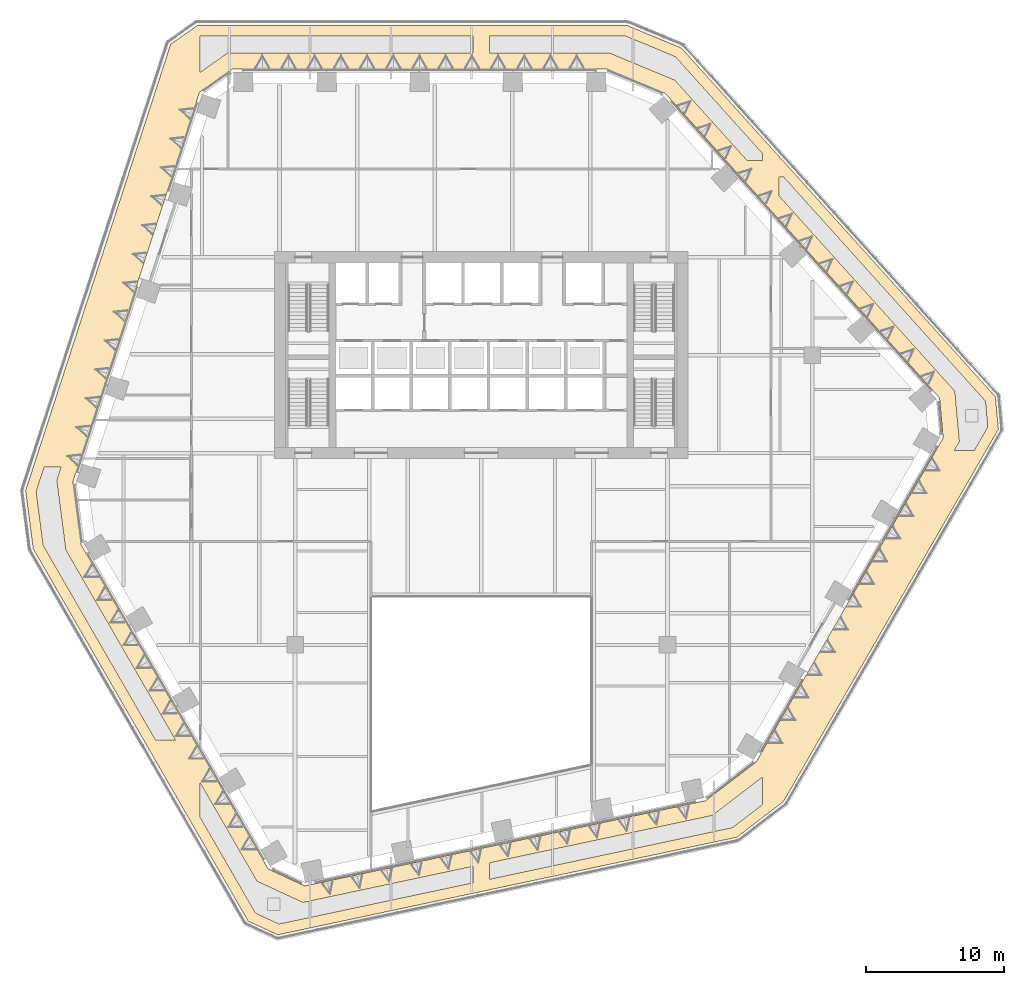
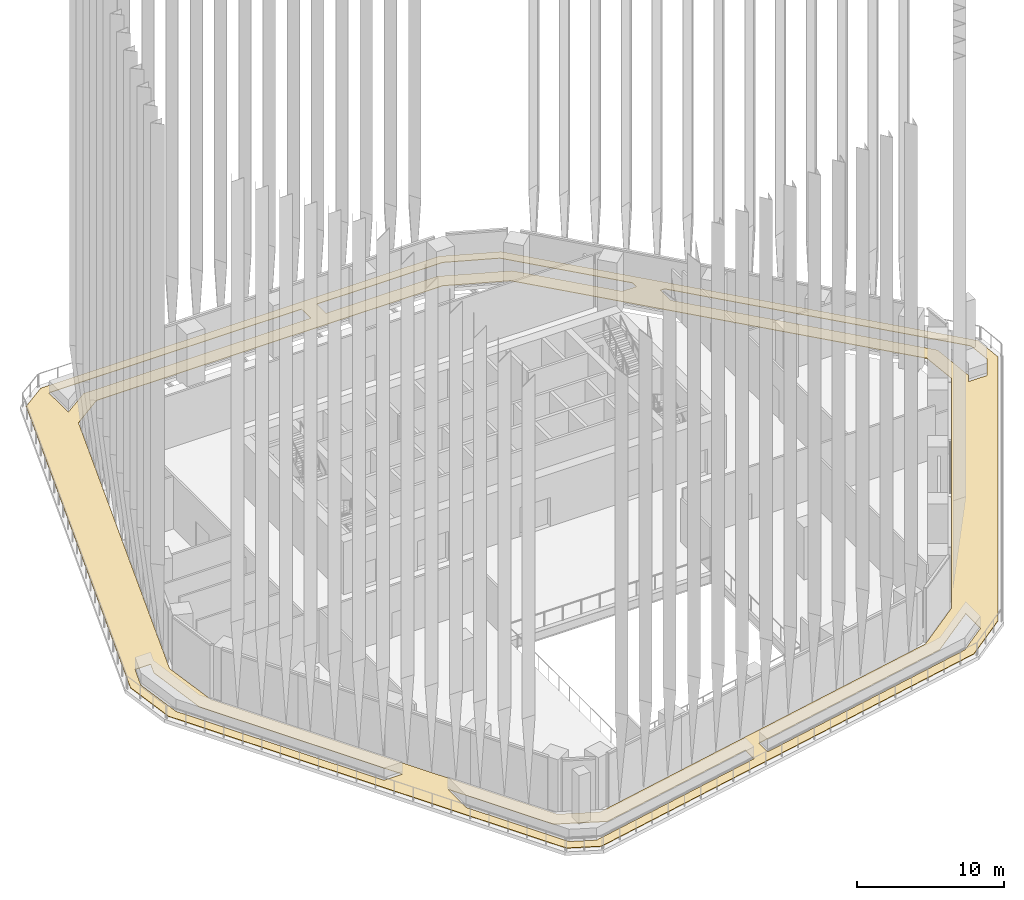
# One storey, part 21 of 27: 1 covering.
"""IFC4 building model written with IfcOpenShell, lengths in metres."""

from ifc_helpers import new_model, si_unit, direction, frame, origin, place, context, subcontext, project, spatial, polyline, outline, extrude, material, layer, layer_set, type_object, element, save


model = new_model("IFC4")

# Units and contexts
model_context = context("Model", 3, precision=1e-05, world=origin(), true_north=direction((0.0, 1.0)))
body_context = subcontext(model_context, "Body", "Model", "MODEL_VIEW")
ifc_project = project(units=[si_unit("LENGTHUNIT", "METRE"), si_unit("AREAUNIT", "SQUARE_METRE"), si_unit("VOLUMEUNIT", "CUBIC_METRE"), si_unit("PLANEANGLEUNIT", "RADIAN"), si_unit("MASSUNIT", "GRAM", prefix="KILO")], contexts=[model_context])

# Site, building, storey
site_placement = place(None, origin())
site = spatial("IfcSite", under=ifc_project, at=site_placement, CompositionType="ELEMENT")
building_placement = place(site_placement, origin())
building = spatial("IfcBuilding", under=site, at=building_placement, Name="Isthmus Gate Tower", CompositionType="ELEMENT")
storey_placement = place(building_placement, frame((0.0, 0.0, 121.64990234375)))
storey = spatial("IfcBuildingStorey", under=building, at=storey_placement, Name="L29", CompositionType="ELEMENT", Elevation=121.64990234375)

# Covering
ifc_material = material(Name="Granite paving slabs on pedestals", Category="masonry")
ifc_layer = layer(ifc_material, 0.0400390625)
ifc_layer_set = layer_set([ifc_layer], Name="LEDGE PAVING 40")
covering_type = type_object("IfcCoveringType", Name="LEDGE PAVING 40", PredefinedType="FLOORING", material=ifc_layer_set)
covering_placement = place(storey_placement, origin())
element("IfcCovering", 1, at=covering_placement, inside=storey, type_object=covering_type, Name="LEDGE PAVING", PredefinedType="FLOORING", context=body_context, shape_type="SweptSolid", body=[
    extrude(outline(polyline([(37.27490234375, 4.4833984375), (37.486328125, 2.128173828125), (21.902099609375, -24.8642578125), (18.52392578125, -27.44921875), (-14.754638671875, -34.522705078125), (-16.900146484375, -33.5283203125), (-32.484130859375, -6.53564453125), (-33.03369140625, -2.317626953125), (-22.520263671875, 30.039306640625), (-20.58642578125, 31.39990234375), (10.58203125, 31.39990234375), (14.509765625, 29.766845703125), (37.27490234375, 4.4833984375)]), holes=[polyline([(-20.4267578125, 26.571533203125), (-29.60546875, -1.677734375), (-29.009521484375, -6.254150390625), (-15.444580078125, -29.7490234375), (-12.798095703125, -30.975830078125), (16.255615234375, -24.80029296875), (19.9208984375, -21.995849609375), (33.48583984375, 1.4990234375), (33.22509765625, 4.404541015625), (13.349853515625, 26.47802734375), (9.08837890625, 28.25), (-18.041015625, 28.25), (-20.4267578125, 26.571533203125)]), polyline([(-14.666015625, -33.7373046875), (-0.60009765625, -30.747314453125), (-0.60009765625, -29.558837890625), (-12.93408203125, -32.180419921875), (-16.258544921875, -30.639404296875), (-20.39990234375, -23.466064453125), (-20.39990234375, -25.966064453125), (-16.369140625, -32.94775390625), (-14.666015625, -33.7373046875)]), polyline([(0.60009765625, -30.4921875), (18.202392578125, -26.750732421875), (20.39990234375, -25.0693359375), (20.39990234375, -23.077392578125), (16.74853515625, -25.871337890625), (0.60009765625, -29.3037109375), (0.60009765625, -30.4921875)]), polyline([(-30.1201171875, -6.63037109375), (-30.779541015625, -1.569091796875), (-30.464599609375, -0.60009765625), (-31.68701171875, -0.60009765625), (-32.26806640625, -2.388427734375), (-31.759765625, -6.290283203125), (-23.613525390625, -20.39990234375), (-22.170166015625, -20.39990234375), (-30.1201171875, -6.63037109375)]), polyline([(21.934326171875, 20.39990234375), (21.60009765625, 20.39990234375), (21.60009765625, 19.033935546875), (34.336181640625, 4.88916015625), (34.663818359375, 1.2392578125), (34.294677734375, 0.60009765625), (35.738037109375, 0.60009765625), (36.718017578125, 2.297607421875), (36.55029296875, 4.16748046875), (21.934326171875, 20.39990234375)]), polyline([(14.031005859375, 27.440185546875), (19.28955078125, 21.60009765625), (20.39990234375, 21.60009765625), (20.39990234375, 22.104248046875), (14.065673828125, 29.13916015625), (10.432373046875, 30.64990234375), (0.60009765625, 30.64990234375), (0.60009765625, 29.39990234375), (9.318115234375, 29.39990234375), (14.031005859375, 27.440185546875)]), polyline([(-20.39990234375, 27.99658203125), (-18.405029296875, 29.39990234375), (-0.60009765625, 29.39990234375), (-0.60009765625, 30.64990234375), (-20.348876953125, 30.64990234375), (-20.39990234375, 30.614013671875), (-20.39990234375, 27.99658203125)])]), origin(), (0.0, 0.0, 1.0), 0.0400390625),
])

save(model, "model.ifc")
